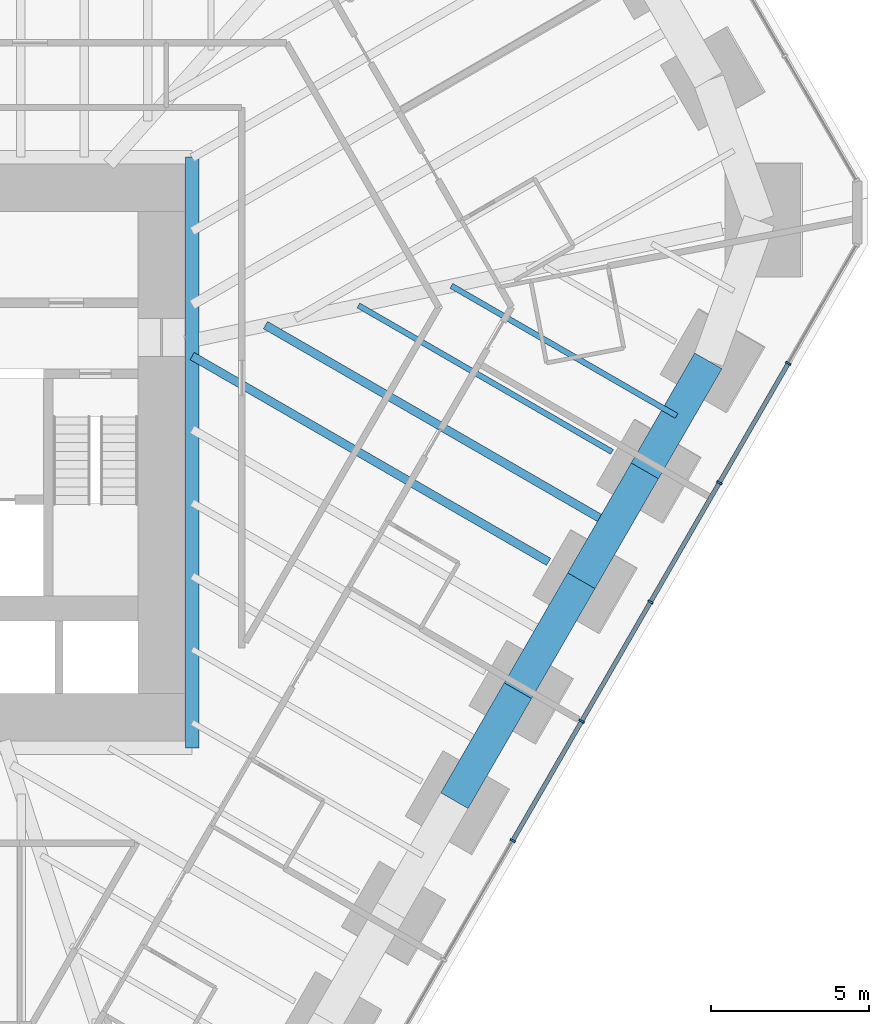
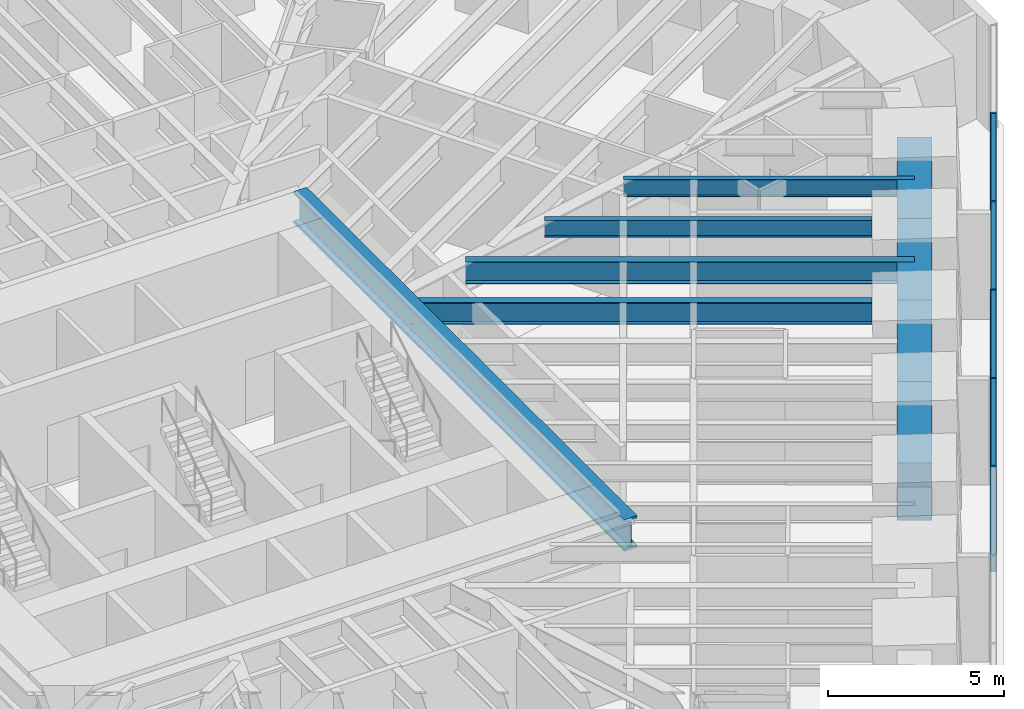
# One storey, part 6 of 17: 9 beams, 9 members, 1 element without a shape of its own.
"""IFC4 building model written with IfcOpenShell, lengths in metres."""

import ifcopenshell
import ifcopenshell.guid

model = None  # the IFC model being written
_history = None  # IfcOwnerHistory: only IFC2X3 demands one
_inside = {}  # id of a spatial element -> (the spatial element, [elements in it])
_under = {}  # id of a project, library or spatial element -> (it, [spatial elements below it])
_declared = {}  # id of a project -> (the project, [libraries it declares])
_typed = {}  # id of a type object -> (the type object, [elements of that type])
_made_of = {}  # id of a material, layer set ... -> (it, [elements and type objects made of it])


def new_model(schema):
    """Start an empty IFC model of exactly this schema.

    Asked for "IFC4X3", IfcOpenShell would pick the latest addendum, in which some entities
    have other attributes; the version numbers below select the first issue.
    IFC2X3 requires an IfcOwnerHistory on every rooted entity: one is made here for all.
    """
    global model, _history
    if schema == "IFC4X3":
        model = ifcopenshell.file(schema_version=(4, 3, 0, 0))
    else:
        model = ifcopenshell.file(schema=schema)
    _inside.clear()
    _under.clear()
    _declared.clear()
    _typed.clear()
    _made_of.clear()
    _history = None
    if model.schema == "IFC2X3":
        org = make("IfcOrganization", Name="unknown")
        user = make(
            "IfcPersonAndOrganization",
            ThePerson=make("IfcPerson", FamilyName="unknown"),
            TheOrganization=org,
        )
        app = make(
            "IfcApplication",
            ApplicationDeveloper=org,
            Version="unknown",
            ApplicationFullName="unknown",
            ApplicationIdentifier="unknown",
        )
        _history = make(
            "IfcOwnerHistory",
            OwningUser=user,
            OwningApplication=app,
            ChangeAction="ADDED",
            CreationDate=0,
        )
    return model


def make(cls, **values):
    """One entity of the class cls with the attributes given. An attribute that is None is left unset."""
    return model.create_entity(
        cls, **{name: value for name, value in values.items() if value is not None}
    )


def rooted(cls, **values):
    """An entity with a GlobalId (a new one), such as an element, a storey or a relation."""
    return make(cls, GlobalId=ifcopenshell.guid.new(), OwnerHistory=_history, **values)


def si_unit(unit_type, name, prefix=None):
    """IfcSIUnit, for example si_unit("LENGTHUNIT", "METRE", prefix="MILLI")."""
    return make("IfcSIUnit", UnitType=unit_type, Prefix=prefix, Name=name)


def assignment(units):
    """IfcUnitAssignment: the units of a project."""
    return None if units is None else make("IfcUnitAssignment", Units=units)


def point(xyz):
    """IfcCartesianPoint."""
    return None if xyz is None else make("IfcCartesianPoint", Coordinates=xyz)


def direction(xyz):
    """IfcDirection."""
    return None if xyz is None else make("IfcDirection", DirectionRatios=xyz)


def frame(location, z_axis=None, x_axis=None):
    """IfcAxis2Placement3D, a coordinate frame: its origin and axes. An axis left out is left unset."""
    return make(
        "IfcAxis2Placement3D",
        Location=point(location),
        Axis=direction(z_axis),
        RefDirection=direction(x_axis),
    )


def frame_2d(location, x_axis=None):
    """IfcAxis2Placement2D, a coordinate frame in the plane: its origin and x axis."""
    return make(
        "IfcAxis2Placement2D", Location=point(location), RefDirection=direction(x_axis)
    )


def origin():
    """The frame at (0, 0, 0) with its axes left unset."""
    return frame((0.0, 0.0, 0.0))


def origin_2d():
    """The frame at (0, 0) in the plane with its x axis left unset."""
    return frame_2d((0.0, 0.0))


def place(relative_to, where):
    """IfcLocalPlacement: puts the frame where relative to a parent placement (None: the world)."""
    return make(
        "IfcLocalPlacement", PlacementRelTo=relative_to, RelativePlacement=where
    )


def context(
    kind, dimensions, precision=None, world=None, true_north=None, identifier=None
):
    """IfcGeometricRepresentationContext, for example the 3D "Model" context."""
    return make(
        "IfcGeometricRepresentationContext",
        ContextIdentifier=identifier,
        ContextType=kind,
        CoordinateSpaceDimension=dimensions,
        Precision=precision,
        WorldCoordinateSystem=world,
        TrueNorth=true_north,
    )


def subcontext(parent, identifier, kind, view, scale=None):
    """IfcGeometricRepresentationSubContext, for example "Body" below "Model"."""
    return make(
        "IfcGeometricRepresentationSubContext",
        ContextIdentifier=identifier,
        ContextType=kind,
        ParentContext=parent,
        TargetScale=scale,
        TargetView=view,
    )


def project(units=None, contexts=None):
    """IfcProject with its units and contexts."""
    return rooted(
        "IfcProject",
        Name="project",
        RepresentationContexts=contexts,
        UnitsInContext=assignment(units),
    )


def spatial(cls, under=None, at=None, **own):
    """A site, building, storey or space (cls), placed at a placement, below another one or the project."""
    s = rooted(cls, ObjectPlacement=at, **own)
    if under is not None:
        _under.setdefault(under.id(), (under, []))[1].append(s)
    return s


def profile(cls, at=None, kind="AREA", **sizes):
    """A parametric profile (cls). Its sizes go by their IFC names, for example OverallWidth=200.0."""
    return make(cls, ProfileType=kind, Position=at, **sizes)


def rectangle(**sizes):
    """IfcRectangleProfileDef."""
    return profile("IfcRectangleProfileDef", **sizes)


def i_section(**sizes):
    """IfcIShapeProfileDef."""
    return profile("IfcIShapeProfileDef", **sizes)


def extrude(swept, where, along, depth):
    """IfcExtrudedAreaSolid: the profile swept, set in the frame where, extruded along a direction by depth."""
    return make(
        "IfcExtrudedAreaSolid",
        SweptArea=swept,
        Position=where,
        ExtrudedDirection=direction(along),
        Depth=depth,
    )


def shape(context_of_items, identifier, shape_type, items):
    """IfcShapeRepresentation: the items that make up one representation, for example the "Body"."""
    return make(
        "IfcShapeRepresentation",
        ContextOfItems=context_of_items,
        RepresentationIdentifier=identifier,
        RepresentationType=shape_type,
        Items=items,
    )


def material(Name=None, Category=None):
    """IfcMaterial."""
    return make("IfcMaterial", Name=Name, Category=Category)


def material_profile(
    of_material, cross_section, Name=None, Category=None, Priority=None
):
    """IfcMaterialProfile: a cross section and its material."""
    return make(
        "IfcMaterialProfile",
        Name=Name,
        Material=of_material,
        Profile=cross_section,
        Priority=Priority,
        Category=Category,
    )


def profile_set(profiles, Name=None, composite=None):
    """IfcMaterialProfileSet."""
    return make(
        "IfcMaterialProfileSet",
        Name=Name,
        MaterialProfiles=profiles,
        CompositeProfile=composite,
    )


def made_of(thing, what):
    """Note that an element or type object is made of a material, layer set ...; save() writes the relation."""
    if what is not None:
        _made_of.setdefault(what.id(), (what, []))[1].append(thing)
    return thing


def type_object(cls, material=None, **own):
    """A type object (cls), such as IfcWallType, which elements share."""
    return made_of(rooted(cls, **own), material)


def element(
    cls,
    number,
    at=None,
    inside=None,
    cuts=None,
    type_object=None,
    material=None,
    context=None,
    identifier="Body",
    shape_type=None,
    held_by="IfcProductDefinitionShape",
    body=None,
    shapes=None,
    **own,
):
    """One element of the class cls, such as IfcWall. Its Tag is "e" and its number.

    at: its placement. inside: the storey or other place that contains it. cuts: it is an
    opening in that element (IfcRelVoidsElement). A single representation is given by context,
    identifier, shape_type and body (its items); several are given by shapes. held_by: the class
    of the entity that holds the representations. save() writes the other relations.
    """
    e = rooted(cls, Tag="e%d" % number, ObjectPlacement=at, **own)
    if body is not None:
        shapes = [shape(context, identifier, shape_type, body)]
    if shapes is not None:
        e.Representation = make(held_by, Representations=shapes)
    if inside is not None:
        _inside.setdefault(inside.id(), (inside, []))[1].append(e)
    if cuts is not None:
        rooted(
            "IfcRelVoidsElement", RelatingBuildingElement=cuts, RelatedOpeningElement=e
        )
    if type_object is not None:
        _typed.setdefault(type_object.id(), (type_object, []))[1].append(e)
    return made_of(e, material)


def aggregate(whole, parts):
    """IfcRelAggregates: a whole, such as a stair, and the parts it consists of."""
    return rooted("IfcRelAggregates", RelatingObject=whole, RelatedObjects=parts)


def save(model, path):
    """Write the relations noted so far, then the file.

    IfcRelAggregates (storeys below a building ...), IfcRelContainedInSpatialStructure (elements
    in a storey), IfcRelDefinesByType, IfcRelAssociatesMaterial and IfcRelDeclares: one each for
    every whole, place, type object, material and project.
    """
    for whole, parts in _under.values():
        aggregate(whole, parts)
    for where, things in _inside.values():
        rooted(
            "IfcRelContainedInSpatialStructure",
            RelatedElements=things,
            RelatingStructure=where,
        )
    for kind, things in _typed.values():
        rooted("IfcRelDefinesByType", RelatedObjects=things, RelatingType=kind)
    for what, things in _made_of.values():
        rooted("IfcRelAssociatesMaterial", RelatedObjects=things, RelatingMaterial=what)
    for by, libraries in _declared.values():
        rooted("IfcRelDeclares", RelatingContext=by, RelatedDefinitions=libraries)
    model.write(path)


model = new_model("IFC4")

# Units and contexts
model_context = context("Model", 3, precision=1e-05, world=origin(), true_north=direction((0.0, 1.0)))
body_context = subcontext(model_context, "Body", "Model", "MODEL_VIEW")
ifc_project = project(units=[si_unit("LENGTHUNIT", "METRE"), si_unit("AREAUNIT", "SQUARE_METRE"), si_unit("VOLUMEUNIT", "CUBIC_METRE"), si_unit("PLANEANGLEUNIT", "RADIAN"), si_unit("MASSUNIT", "GRAM", prefix="KILO")], contexts=[model_context])

# Site, building, storey
site_placement = place(None, origin())
site = spatial("IfcSite", under=ifc_project, at=site_placement, CompositionType="ELEMENT")
building_placement = place(site_placement, origin())
building = spatial("IfcBuilding", under=site, at=building_placement, Name="Sandreach Pilgrim Tower", CompositionType="ELEMENT")
storey_placement = place(building_placement, frame((0.0, 0.0, 80.0)))
storey = spatial("IfcBuildingStorey", under=building, at=storey_placement, Name="L19", CompositionType="ELEMENT", Elevation=80.0)

# Curtain wall, members
ifc_material_1 = material(Name="Aluminium framed curtain wall", Category="aluminium")
curtain_wall_type = type_object("IfcCurtainWallType", Name="Hostel tower curtain wall", PredefinedType="NOTDEFINED", material=ifc_material_1)
curtain_wall_placement = place(storey_placement, origin())
curtain_wall = element("IfcCurtainWall", 1, at=curtain_wall_placement, inside=storey, type_object=curtain_wall_type, Name="CW-1 L19 SE", PredefinedType="NOTDEFINED")
ifc_material_2 = material(Name="Aluminium extrusion", Category="aluminium")
ifc_material_profile_1 = material_profile(ifc_material_2, rectangle(XDim=0.06494140625, YDim=0.179931640625, at=origin_2d()), Name="CW-1M 65X180")
ifc_profile_set_1 = profile_set([ifc_material_profile_1], Name="Aluminium extrusion")
member_type_1 = type_object("IfcMemberType", Name="CW-1 mullion", PredefinedType="MULLION", material=ifc_profile_set_1)
member_1_placement = place(storey_placement, frame((28.390380859375, 1.2763671875, 0.0), z_axis=(0.0, 0.0, 1.0), x_axis=(-0.5, -0.866025403784, 0.0)))
member_1 = element("IfcMember", 2, at=member_1_placement, type_object=member_type_1, Name="CW-1 mullion 2", PredefinedType="MULLION", context=body_context, shape_type="SweptSolid", body=[
    extrude(rectangle(XDim=0.06494140625, YDim=0.179931640625, at=origin_2d()), origin(), (0.0, 0.0, 1.0), 3.639892578125),
])
member_2_placement = place(storey_placement, frame((26.20458984375, -2.509521484375, 0.0), z_axis=(0.0, 0.0, 1.0), x_axis=(-0.5, -0.866025403784, 0.0)))
member_2 = element("IfcMember", 3, at=member_2_placement, type_object=member_type_1, Name="CW-1 mullion 3", PredefinedType="MULLION", context=body_context, shape_type="SweptSolid", body=[
    extrude(rectangle(XDim=0.06494140625, YDim=0.179931640625, at=origin_2d()), origin(), (0.0, 0.0, 1.0), 3.639892578125),
])
member_3_placement = place(storey_placement, frame((24.018798828125, -6.29541015625, 0.0), z_axis=(0.0, 0.0, 1.0), x_axis=(-0.5, -0.866025403784, 0.0)))
member_3 = element("IfcMember", 4, at=member_3_placement, type_object=member_type_1, Name="CW-1 mullion 4", PredefinedType="MULLION", context=body_context, shape_type="SweptSolid", body=[
    extrude(rectangle(XDim=0.06494140625, YDim=0.179931640625, at=origin_2d()), origin(), (0.0, 0.0, 1.0), 3.639892578125),
])
member_4_placement = place(storey_placement, frame((21.8330078125, -10.081298828125, 0.0), z_axis=(0.0, 0.0, 1.0), x_axis=(-0.5, -0.866025403784, 0.0)))
member_4 = element("IfcMember", 5, at=member_4_placement, type_object=member_type_1, Name="CW-1 mullion 5", PredefinedType="MULLION", context=body_context, shape_type="SweptSolid", body=[
    extrude(rectangle(XDim=0.06494140625, YDim=0.179931640625, at=origin_2d()), origin(), (0.0, 0.0, 1.0), 3.639892578125),
])
member_5_placement = place(storey_placement, frame((19.647216796875, -13.8671875, 0.0), z_axis=(0.0, 0.0, 1.0), x_axis=(-0.5, -0.866025403784, 0.0)))
member_5 = element("IfcMember", 6, at=member_5_placement, type_object=member_type_1, Name="CW-1 mullion 6", PredefinedType="MULLION", context=body_context, shape_type="SweptSolid", body=[
    extrude(rectangle(XDim=0.06494140625, YDim=0.179931640625, at=origin_2d()), origin(), (0.0, 0.0, 1.0), 3.639892578125),
])
ifc_material_3 = material(Name="Aluminium extrusion", Category="aluminium")
ifc_material_profile_2 = material_profile(ifc_material_3, rectangle(XDim=0.139892578125, YDim=0.070068359375, at=origin_2d()), Name="CW-1T 140X70")
ifc_profile_set_2 = profile_set([ifc_material_profile_2], Name="Aluminium extrusion")
member_type_2 = type_object("IfcMemberType", Name="CW-1 transom", PredefinedType="USERDEFINED", material=ifc_profile_set_2)
member_6_placement = place(storey_placement, frame((28.374267578125, 1.248046875, 3.60498046875), z_axis=(-0.500016891966, -0.866015650984, 0.0), x_axis=(0.866015650984, -0.500016891966, 0.0)))
member_6 = element("IfcMember", 7, at=member_6_placement, type_object=member_type_2, Name="CW-1 head transom 2", ObjectType="TRANSOM", PredefinedType="USERDEFINED", context=body_context, shape_type="SweptSolid", body=[
    extrude(rectangle(XDim=0.139892578125, YDim=0.070068359375, at=origin_2d()), origin(), (0.0, 0.0, 1.0), 4.306396484375),
])
member_7_placement = place(storey_placement, frame((26.1884765625, -2.537841796875, 3.60498046875), z_axis=(-0.500016891966, -0.866015650984, 0.0), x_axis=(0.866015650984, -0.500016891966, 0.0)))
member_7 = element("IfcMember", 8, at=member_7_placement, type_object=member_type_2, Name="CW-1 head transom 3", ObjectType="TRANSOM", PredefinedType="USERDEFINED", context=body_context, shape_type="SweptSolid", body=[
    extrude(rectangle(XDim=0.139892578125, YDim=0.070068359375, at=origin_2d()), origin(), (0.0, 0.0, 1.0), 4.306396484375),
])
member_8_placement = place(storey_placement, frame((24.002685546875, -6.32373046875, 3.60498046875), z_axis=(-0.500016891966, -0.866015650984, 0.0), x_axis=(0.866015650984, -0.500016891966, 0.0)))
member_8 = element("IfcMember", 9, at=member_8_placement, type_object=member_type_2, Name="CW-1 head transom 4", ObjectType="TRANSOM", PredefinedType="USERDEFINED", context=body_context, shape_type="SweptSolid", body=[
    extrude(rectangle(XDim=0.139892578125, YDim=0.070068359375, at=origin_2d()), origin(), (0.0, 0.0, 1.0), 4.306396484375),
])
member_9_placement = place(storey_placement, frame((21.81689453125, -10.109619140625, 3.60498046875), z_axis=(-0.500016891966, -0.866015650984, 0.0), x_axis=(0.866015650984, -0.500016891966, 0.0)))
member_9 = element("IfcMember", 10, at=member_9_placement, type_object=member_type_2, Name="CW-1 head transom 5", ObjectType="TRANSOM", PredefinedType="USERDEFINED", context=body_context, shape_type="SweptSolid", body=[
    extrude(rectangle(XDim=0.139892578125, YDim=0.070068359375, at=origin_2d()), origin(), (0.0, 0.0, 1.0), 4.306396484375),
])
aggregate(curtain_wall, [member_1, member_2, member_3, member_4, member_5, member_6, member_7, member_8, member_9])

# Beams
ifc_material_4 = material(Name="Steel ASTM A992 Grade 50", Category="steel")
ifc_material_profile_3 = material_profile(ifc_material_4, i_section(OverallWidth=0.424072265625, OverallDepth=1.09228515625, WebThickness=0.04541015625, FlangeThickness=0.08203125, at=origin_2d()), Name="W40X593")
ifc_profile_set_3 = profile_set([ifc_material_profile_3], Name="Steel ASTM A992 Grade 50")
beam_type_1 = type_object("IfcBeamType", Name="Core edge beam W40X593", PredefinedType="BEAM", material=ifc_profile_set_3)
beam_1_placement = place(storey_placement, frame((9.47216796875, 7.822021484375, 3.093994140625), z_axis=(0.0, -1.0, 0.0), x_axis=(1.0, 0.0, 0.0)))
element("IfcBeam", 11, at=beam_1_placement, inside=storey, type_object=beam_type_1, Name="BM L19 CEE", PredefinedType="BEAM", context=body_context, shape_type="SweptSolid", body=[
    extrude(i_section(OverallWidth=0.424072265625, OverallDepth=1.09228515625, WebThickness=0.04541015625, FlangeThickness=0.08203125, at=origin_2d()), origin(), (0.0, 0.0, 1.0), 18.744140625),
])
ifc_material_5 = material(Name="Steel ASTM A992 Grade 50", Category="steel")
ifc_material_profile_4 = material_profile(ifc_material_5, i_section(OverallWidth=0.1787109375, OverallDepth=0.60205078125, WebThickness=0.010986328125, FlangeThickness=0.014892578125, at=origin_2d()), Name="W24X62")
ifc_profile_set_4 = profile_set([ifc_material_profile_4], Name="Steel ASTM A992 Grade 50")
beam_type_2 = type_object("IfcBeamType", Name="Floor beam W24X62", PredefinedType="BEAM", material=ifc_profile_set_4)
beam_2_placement = place(storey_placement, frame((22.799072265625, -1.53369140625, 3.339111328125), z_axis=(-0.866018501033, 0.500011955725, 0.0), x_axis=(-0.500011955725, -0.866018501033, 0.0)))
element("IfcBeam", 12, at=beam_2_placement, inside=storey, type_object=beam_type_2, Name="BM L19 F15", PredefinedType="BEAM", context=body_context, shape_type="SweptSolid", body=[
    extrude(i_section(OverallWidth=0.1787109375, OverallDepth=0.60205078125, WebThickness=0.010986328125, FlangeThickness=0.014892578125, at=origin_2d()), origin(), (0.0, 0.0, 1.0), 9.295166015625),
])
beam_3_placement = place(storey_placement, frame((24.845458984375, -0.38916015625, 3.339111328125), z_axis=(-0.866027928545, 0.499995626961, 0.0), x_axis=(-0.499995626961, -0.866027928545, 0.0)))
element("IfcBeam", 13, at=beam_3_placement, inside=storey, type_object=beam_type_2, Name="BM L19 FM14", PredefinedType="BEAM", context=body_context, shape_type="SweptSolid", body=[
    extrude(i_section(OverallWidth=0.1787109375, OverallDepth=0.60205078125, WebThickness=0.010986328125, FlangeThickness=0.014892578125, at=origin_2d()), origin(), (0.0, 0.0, 1.0), 8.251953125),
])
ifc_material_6 = material(Name="Steel ASTM A992 Grade 50", Category="steel")
ifc_material_profile_5 = material_profile(ifc_material_6, i_section(OverallWidth=0.2666015625, OverallDepth=0.761962890625, WebThickness=0.014404296875, FlangeThickness=0.021484375, at=origin_2d()), Name="W30X116")
ifc_profile_set_5 = profile_set([ifc_material_profile_5], Name="Steel ASTM A992 Grade 50")
beam_type_3 = type_object("IfcBeamType", Name="Floor beam W30X116", PredefinedType="BEAM", material=ifc_profile_set_5)
beam_4_placement = place(storey_placement, frame((20.784912109375, -5.0224609375, 3.259033203125), z_axis=(-0.866022809391, 0.500004493594, 0.0), x_axis=(-0.500004493594, -0.866022809391, 0.0)))
element("IfcBeam", 14, at=beam_4_placement, inside=storey, type_object=beam_type_3, Name="BM L19 F16", PredefinedType="BEAM", context=body_context, shape_type="SweptSolid", body=[
    extrude(i_section(OverallWidth=0.2666015625, OverallDepth=0.761962890625, WebThickness=0.014404296875, FlangeThickness=0.021484375, at=origin_2d()), origin(), (0.0, 0.0, 1.0), 13.06298828125),
])
beam_5_placement = place(storey_placement, frame((22.831298828125, -3.8779296875, 3.259033203125), z_axis=(-0.866031433821, 0.499989555525, 0.0), x_axis=(-0.499989555525, -0.866031433821, 0.0)))
element("IfcBeam", 15, at=beam_5_placement, inside=storey, type_object=beam_type_3, Name="BM L19 FM15", PredefinedType="BEAM", context=body_context, shape_type="SweptSolid", body=[
    extrude(i_section(OverallWidth=0.2666015625, OverallDepth=0.761962890625, WebThickness=0.014404296875, FlangeThickness=0.021484375, at=origin_2d()), origin(), (0.0, 0.0, 1.0), 12.738525390625),
])
ifc_material_7 = material(Name="Concrete 10000 psi", Category="concrete")
ifc_material_profile_6 = material_profile(ifc_material_7, rectangle(XDim=1.0, YDim=2.0, at=origin_2d()), Name="RC1000X2000")
ifc_profile_set_6 = profile_set([ifc_material_profile_6], Name="Concrete 10000 psi")
beam_type_4 = type_object("IfcBeamType", Name="Spandrel beam RC1000X2000", PredefinedType="SPANDREL", material=ifc_profile_set_6)
for number, where, z_axis, x_axis, name in (
    (16, (25.8525390625, 1.355224609375, 2.639892578125), (-0.499984757355, -0.866034203951, 0.0), (0.866034203951, -0.499984757355, 0.0), "BM L19 SP14"),
    (17, (23.83837890625, -2.133544921875, 2.639892578125), (-0.500030209372, -0.866007961693, 0.0), (0.866007961693, -0.500030209372, 0.0), "BM L19 SP15"),
    (18, (21.823974609375, -5.622314453125, 2.639892578125), (-0.499958516642, -0.866049352888, 0.0), (0.866049352888, -0.499958516642, 0.0), "BM L19 SP16"),
    (19, (19.809814453125, -9.111328125, 2.639892578125), (-0.500030209372, -0.866007961693, 0.0), (0.866007961693, -0.500030209372, 0.0), "BM L19 SP17"),
):
    element("IfcBeam", number, at=place(storey_placement, frame(where, z_axis=z_axis, x_axis=x_axis)), inside=storey, type_object=beam_type_4, Name=name, PredefinedType="SPANDREL", context=body_context, shape_type="SweptSolid", body=[
        extrude(rectangle(XDim=1.0, YDim=2.0, at=origin_2d()), origin(), (0.0, 0.0, 1.0), 4.028564453125),
    ])

save(model, "model.ifc")
